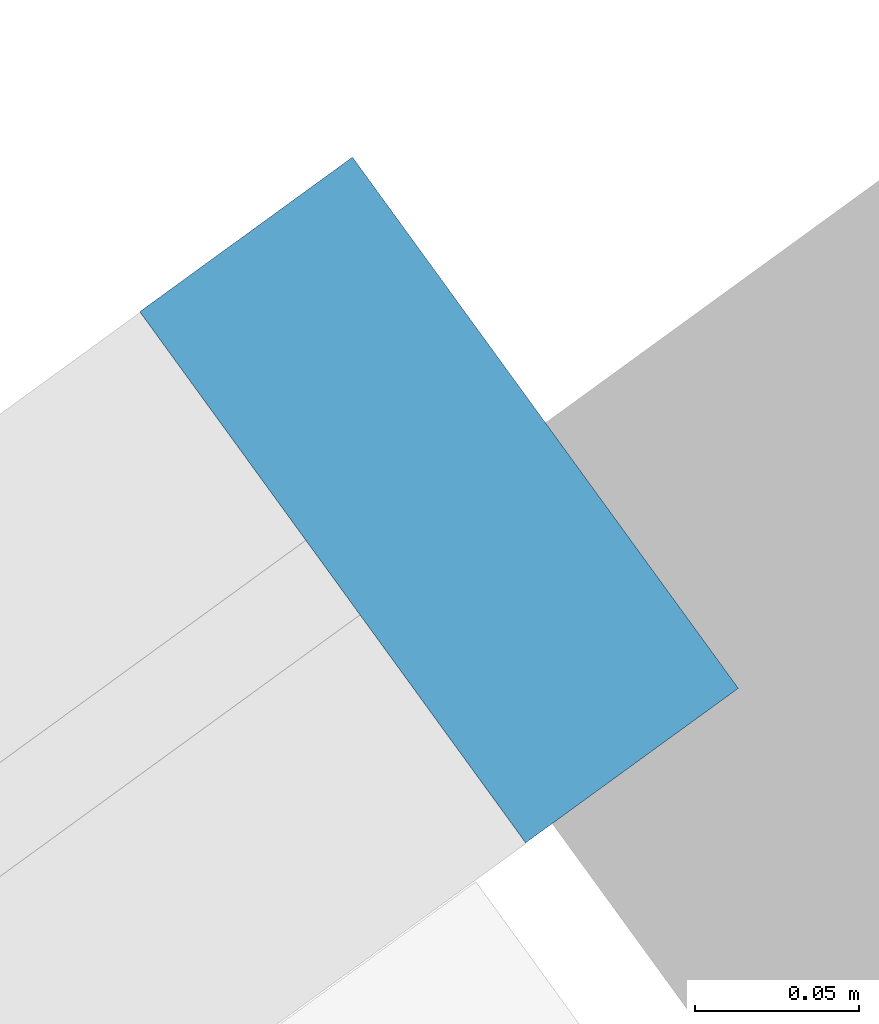
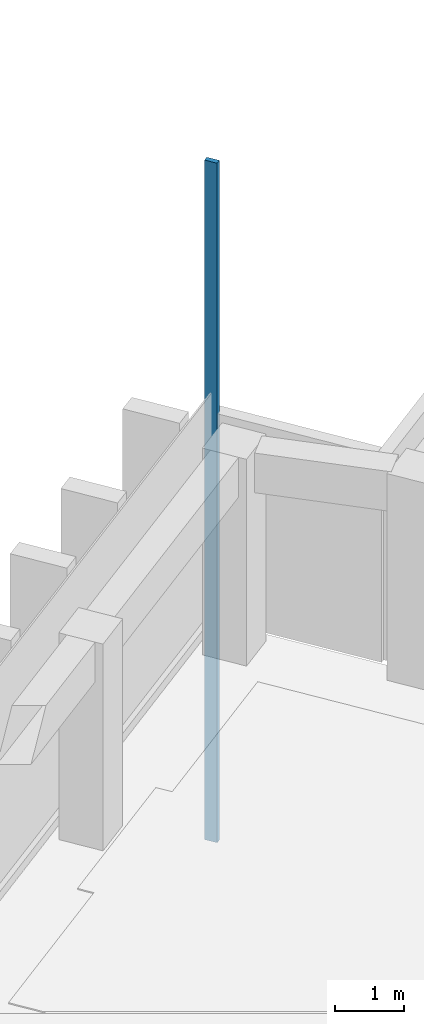
# One storey, part 5 of 13: 1 member, 1 element without a shape of its own.
"""IFC4 building model written with IfcOpenShell, lengths in metres."""

from ifc_helpers import new_model, si_unit, direction, frame, origin, origin_2d, place, context, subcontext, project, spatial, rectangle, extrude, material, material_profile, profile_set, type_object, element, aggregate, save


model = new_model("IFC4")

# Units and contexts
model_context = context("Model", 3, precision=1e-05, world=origin(), true_north=direction((0.0, 1.0)))
body_context = subcontext(model_context, "Body", "Model", "MODEL_VIEW")
ifc_project = project(units=[si_unit("LENGTHUNIT", "METRE"), si_unit("AREAUNIT", "SQUARE_METRE"), si_unit("VOLUMEUNIT", "CUBIC_METRE"), si_unit("PLANEANGLEUNIT", "RADIAN"), si_unit("MASSUNIT", "GRAM", prefix="KILO")], contexts=[model_context])

# Site, building, storey
site_placement = place(None, origin())
site = spatial("IfcSite", under=ifc_project, at=site_placement, CompositionType="ELEMENT")
building_placement = place(site_placement, origin())
building = spatial("IfcBuilding", under=site, at=building_placement, Name="Quipu Civic Tower", CompositionType="ELEMENT")
storey_placement = place(building_placement, frame((0.0, 0.0, 285.0)))
storey = spatial("IfcBuildingStorey", under=building, at=storey_placement, Name="L66", CompositionType="ELEMENT", Elevation=285.0)

# Curtain wall, member
ifc_material_1 = material(Name="Insulated glass unit", Category="glass")
curtain_wall_type = type_object("IfcCurtainWallType", Name="Office curtain wall CW1", PredefinedType="NOTDEFINED", material=ifc_material_1)
curtain_wall_placement = place(storey_placement, origin())
curtain_wall = element("IfcCurtainWall", 1, at=curtain_wall_placement, inside=storey, type_object=curtain_wall_type, Name="Office curtain wall CW1 L65 run 6", PredefinedType="NOTDEFINED")
ifc_material_2 = material(Name="Anodised aluminium", Category="aluminium")
ifc_material_profile = material_profile(ifc_material_2, rectangle(XDim=0.199951171875, YDim=0.080078125, at=origin_2d()), Name="RECT 200x80")
ifc_profile_set = profile_set([ifc_material_profile], Name="Anodised aluminium")
member_type = type_object("IfcMemberType", Name="Mullion CW1", PredefinedType="MULLION", material=ifc_profile_set)
member_placement = place(storey_placement, frame((-28.4111328125, 21.206298828125, -3.919921875), z_axis=(0.0, 0.0, 1.0), x_axis=(0.587787753918, -0.809015176832, 0.0)))
member = element("IfcMember", 2, at=member_placement, type_object=member_type, Name="CW1 mullion 1", PredefinedType="MULLION", context=body_context, shape_type="SweptSolid", body=[
    extrude(rectangle(XDim=0.199951171875, YDim=0.080078125, at=origin_2d()), origin(), (0.0, 0.0, 1.0), 12.0),
])
aggregate(curtain_wall, [member])

save(model, "model.ifc")
